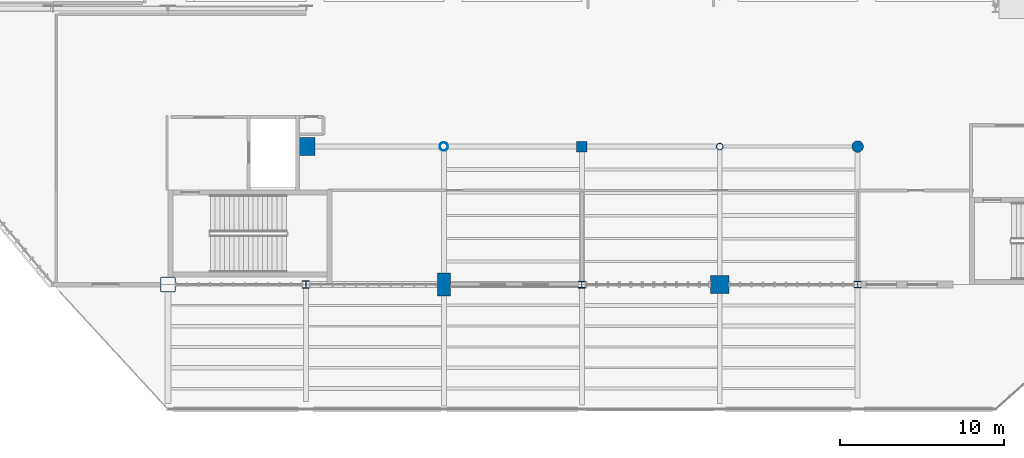
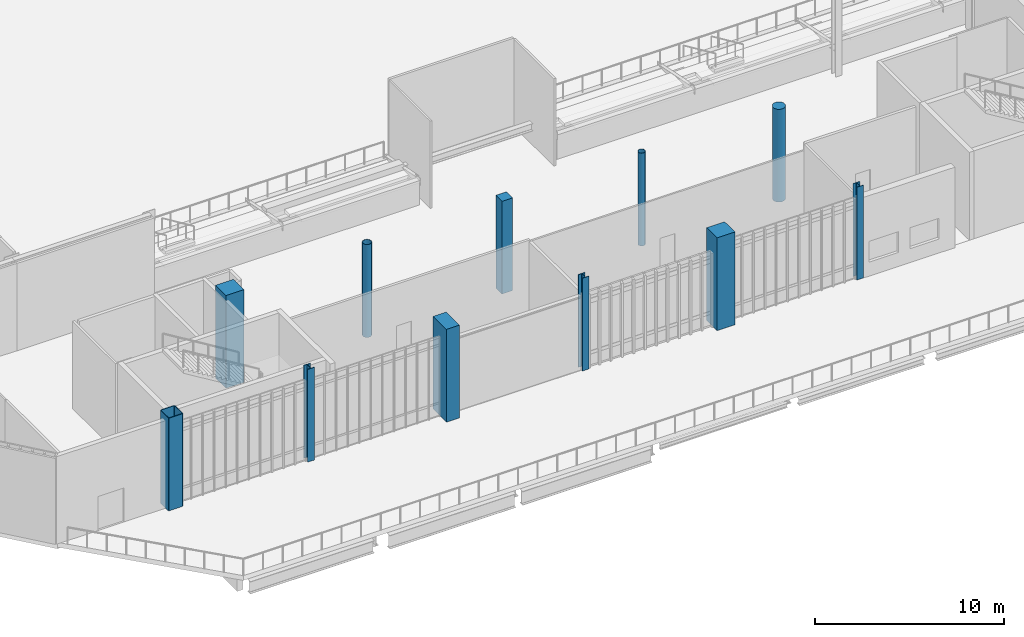
# One storey, part 1 of 135: 11 columns.
"""IFC4 building model written with IfcOpenShell, lengths in metres."""

from ifc_helpers import new_model, si_unit, direction, frame, origin, origin_2d, place, context, subcontext, project, spatial, rectangle, hollow_rectangle, circle, hollow_circle, i_section, extrude, material, material_profile, profile_set, type_object, element, save


model = new_model("IFC4")

# Units and contexts
model_context = context("Model", 3, precision=1e-05, world=origin(), true_north=direction((0.0, 1.0)))
body_context = subcontext(model_context, "Body", "Model", "MODEL_VIEW")
ifc_project = project(units=[si_unit("LENGTHUNIT", "METRE"), si_unit("AREAUNIT", "SQUARE_METRE"), si_unit("VOLUMEUNIT", "CUBIC_METRE"), si_unit("PLANEANGLEUNIT", "RADIAN"), si_unit("MASSUNIT", "GRAM", prefix="KILO")], contexts=[model_context])

# Site, building, storey
site_placement = place(None, origin())
site = spatial("IfcSite", under=ifc_project, at=site_placement, CompositionType="ELEMENT")
building_placement = place(site_placement, origin())
building = spatial("IfcBuilding", under=site, at=building_placement, Name="Larkvane Passage Sports Hall", CompositionType="ELEMENT")
storey_placement = place(building_placement, frame((0.0, 0.0, 10.800048828125)))
storey = spatial("IfcBuildingStorey", under=building, at=storey_placement, Name="L02", CompositionType="ELEMENT", Elevation=10.800048828125)

# Columns
ifc_material_1 = material(Name="Concrete C40/50", Category="concrete")
ifc_material_profile_1 = material_profile(ifc_material_1, circle(Radius=0.35009765625, at=origin_2d()), Name="RC-CIR-700")
ifc_profile_set_1 = profile_set([ifc_material_profile_1], Name="Concrete C40/50")
column_type_1 = type_object("IfcColumnType", Name="COL-CIR-700", PredefinedType="COLUMN", material=ifc_profile_set_1)
column_1_placement = place(storey_placement, frame((76.800048828125, 31.199951171875, 0.0), z_axis=(0.0, 0.0, 1.0), x_axis=(1.0, 0.0, 0.0)))
element("IfcColumn", 1, at=column_1_placement, inside=storey, type_object=column_type_1, Name="Column 11/E L02", PredefinedType="COLUMN", context=body_context, shape_type="SweptSolid", body=[
    extrude(circle(Radius=0.35009765625, at=origin_2d()), origin(), (0.0, 0.0, 1.0), 6.0),
])
ifc_material_2 = material(Name="Concrete C50/60", Category="concrete")
ifc_material_profile_2 = material_profile(ifc_material_2, rectangle(XDim=1.10009765625, YDim=1.10009765625, at=origin_2d()), Name="RC-COL-1100x1100")
ifc_profile_set_2 = profile_set([ifc_material_profile_2], Name="Concrete C50/60")
column_type_2 = type_object("IfcColumnType", Name="COL-RC-1100", PredefinedType="COLUMN", material=ifc_profile_set_2)
for number, where, z_axis, x_axis, name in (
    (2, (43.199951171875, 31.199951171875, 0.0), (0.0, 0.0, 1.0), (1.0, 0.0, 0.0), "Column 7/E L02"),
    (3, (68.39990234375, 22.800048828125, 0.0), (0.0, 0.0, 1.0), (1.0, 0.0, 0.0), "Column 10/D L02"),
):
    element("IfcColumn", number, at=place(storey_placement, frame(where, z_axis=z_axis, x_axis=x_axis)), inside=storey, type_object=column_type_2, Name=name, PredefinedType="COLUMN", context=body_context, shape_type="SweptSolid", body=[
        extrude(rectangle(XDim=1.10009765625, YDim=1.10009765625, at=origin_2d()), origin(), (0.0, 0.0, 1.0), 6.0),
    ])
ifc_material_profile_3 = material_profile(ifc_material_1, rectangle(XDim=0.64990234375, YDim=0.64990234375, at=origin_2d()), Name="RC-COL-650x650")
ifc_profile_set_3 = profile_set([ifc_material_profile_3], Name="Concrete C40/50")
column_type_3 = type_object("IfcColumnType", Name="COL-RC-650", PredefinedType="COLUMN", material=ifc_profile_set_3)
column_2_placement = place(storey_placement, frame((60.0, 31.199951171875, 0.0), z_axis=(0.0, 0.0, 1.0), x_axis=(1.0, 0.0, 0.0)))
element("IfcColumn", 4, at=column_2_placement, inside=storey, type_object=column_type_3, Name="Column 9/E L02", PredefinedType="COLUMN", context=body_context, shape_type="SweptSolid", body=[
    extrude(rectangle(XDim=0.64990234375, YDim=0.64990234375, at=origin_2d()), origin(), (0.0, 0.0, 1.0), 6.0),
])
ifc_material_profile_4 = material_profile(ifc_material_2, rectangle(XDim=0.800048828125, YDim=1.39990234375, at=origin_2d()), Name="RC-COL-800x1400")
ifc_profile_set_4 = profile_set([ifc_material_profile_4], Name="Concrete C50/60")
column_type_4 = type_object("IfcColumnType", Name="COL-RC-800x1400", PredefinedType="COLUMN", material=ifc_profile_set_4)
column_3_placement = place(storey_placement, frame((51.60009765625, 22.800048828125, 0.0), z_axis=(0.0, 0.0, 1.0), x_axis=(1.0, 0.0, 0.0)))
element("IfcColumn", 5, at=column_3_placement, inside=storey, type_object=column_type_4, Name="Column 8/D L02", PredefinedType="COLUMN", context=body_context, shape_type="SweptSolid", body=[
    extrude(rectangle(XDim=0.800048828125, YDim=1.39990234375, at=origin_2d()), origin(), (0.0, 0.0, 1.0), 6.0),
])
ifc_material_3 = material(Name="Steel S460N", Category="steel")
ifc_material_profile_5 = material_profile(ifc_material_3, hollow_rectangle(XDim=0.89990234375, YDim=0.89990234375, WallThickness=0.035888671875, InnerFilletRadius=0.035888671875, OuterFilletRadius=0.072021484375, at=origin_2d()), Name="BOX-900x900x36")
ifc_profile_set_5 = profile_set([ifc_material_profile_5], Name="Steel S460N")
column_type_5 = type_object("IfcColumnType", Name="COL-STL-BOX900", PredefinedType="COLUMN", material=ifc_profile_set_5)
column_4_placement = place(storey_placement, frame((34.800048828125, 22.800048828125, 0.0), z_axis=(0.0, 0.0, 1.0), x_axis=(1.0, 0.0, 0.0)))
element("IfcColumn", 6, at=column_4_placement, inside=storey, type_object=column_type_5, Name="Column 6/D L02", PredefinedType="COLUMN", context=body_context, shape_type="SweptSolid", body=[
    extrude(hollow_rectangle(XDim=0.89990234375, YDim=0.89990234375, WallThickness=0.035888671875, InnerFilletRadius=0.035888671875, OuterFilletRadius=0.072021484375, at=origin_2d()), origin(), (0.0, 0.0, 1.0), 6.0),
])
ifc_material_4 = material(Name="Steel S355JR", Category="steel")
ifc_material_profile_6 = material_profile(ifc_material_4, hollow_circle(Radius=0.203125, WallThickness=0.01611328125, at=origin_2d()), Name="CHS-406.4x16.0")
ifc_profile_set_6 = profile_set([ifc_material_profile_6], Name="Steel S355JR")
column_type_6 = type_object("IfcColumnType", Name="COL-STL-CHS406", PredefinedType="COLUMN", material=ifc_profile_set_6)
column_5_placement = place(storey_placement, frame((68.39990234375, 31.199951171875, 0.0), z_axis=(0.0, 0.0, 1.0), x_axis=(1.0, 0.0, 0.0)))
element("IfcColumn", 7, at=column_5_placement, inside=storey, type_object=column_type_6, Name="Column 10/E L02", PredefinedType="COLUMN", context=body_context, shape_type="SweptSolid", body=[
    extrude(hollow_circle(Radius=0.203125, WallThickness=0.01611328125, at=origin_2d()), origin(), (0.0, 0.0, 1.0), 6.0),
])
ifc_material_profile_7 = material_profile(ifc_material_3, hollow_circle(Radius=0.25390625, WallThickness=0.01904296875, at=origin_2d()), Name="CHS-508.0x19.0")
ifc_profile_set_7 = profile_set([ifc_material_profile_7], Name="Steel S460N")
column_type_7 = type_object("IfcColumnType", Name="COL-STL-CHS508", PredefinedType="COLUMN", material=ifc_profile_set_7)
column_6_placement = place(storey_placement, frame((51.60009765625, 31.199951171875, 0.0), z_axis=(0.0, 0.0, 1.0), x_axis=(1.0, 0.0, 0.0)))
element("IfcColumn", 8, at=column_6_placement, inside=storey, type_object=column_type_7, Name="Column 8/E L02", PredefinedType="COLUMN", context=body_context, shape_type="SweptSolid", body=[
    extrude(hollow_circle(Radius=0.25390625, WallThickness=0.01904296875, at=origin_2d()), origin(), (0.0, 0.0, 1.0), 6.0),
])
ifc_material_profile_8 = material_profile(ifc_material_3, i_section(OverallWidth=0.405029296875, OverallDepth=0.4140625, WebThickness=0.01806640625, FlangeThickness=0.028076171875, FilletRadius=0.02197265625, at=origin_2d()), Name="H-414x405x18x28")
ifc_profile_set_8 = profile_set([ifc_material_profile_8], Name="Steel S460N")
column_type_8 = type_object("IfcColumnType", Name="COL-STL-H414", PredefinedType="COLUMN", material=ifc_profile_set_8)
column_7_placement = place(storey_placement, frame((76.800048828125, 22.800048828125, 0.0), z_axis=(0.0, 0.0, 1.0), x_axis=(1.0, 0.0, 0.0)))
element("IfcColumn", 9, at=column_7_placement, inside=storey, type_object=column_type_8, Name="Column 11/D L02", PredefinedType="COLUMN", context=body_context, shape_type="SweptSolid", body=[
    extrude(i_section(OverallWidth=0.405029296875, OverallDepth=0.4140625, WebThickness=0.01806640625, FlangeThickness=0.028076171875, FilletRadius=0.02197265625, at=origin_2d()), origin(), (0.0, 0.0, 1.0), 6.0),
])
ifc_material_profile_9 = material_profile(ifc_material_3, i_section(OverallWidth=0.406982421875, OverallDepth=0.427978515625, WebThickness=0.02001953125, FlangeThickness=0.034912109375, FilletRadius=0.02197265625, at=origin_2d()), Name="H-428x407x20x35")
ifc_profile_set_9 = profile_set([ifc_material_profile_9], Name="Steel S460N")
column_type_9 = type_object("IfcColumnType", Name="COL-STL-H428", PredefinedType="COLUMN", material=ifc_profile_set_9)
column_8_placement = place(storey_placement, frame((60.0, 22.800048828125, 0.0), z_axis=(0.0, 0.0, 1.0), x_axis=(1.0, 0.0, 0.0)))
element("IfcColumn", 10, at=column_8_placement, inside=storey, type_object=column_type_9, Name="Column 9/D L02", PredefinedType="COLUMN", context=body_context, shape_type="SweptSolid", body=[
    extrude(i_section(OverallWidth=0.406982421875, OverallDepth=0.427978515625, WebThickness=0.02001953125, FlangeThickness=0.034912109375, FilletRadius=0.02197265625, at=origin_2d()), origin(), (0.0, 0.0, 1.0), 6.0),
])
ifc_material_profile_10 = material_profile(ifc_material_3, i_section(OverallWidth=0.4169921875, OverallDepth=0.4580078125, WebThickness=0.030029296875, FlangeThickness=0.0400390625, FilletRadius=0.02197265625, at=origin_2d()), Name="H-458x417x30x40")
ifc_profile_set_10 = profile_set([ifc_material_profile_10], Name="Steel S460N")
column_type_10 = type_object("IfcColumnType", Name="COL-STL-H458", PredefinedType="COLUMN", material=ifc_profile_set_10)
column_9_placement = place(storey_placement, frame((43.199951171875, 22.800048828125, 0.0), z_axis=(0.0, 0.0, 1.0), x_axis=(1.0, 0.0, 0.0)))
element("IfcColumn", 11, at=column_9_placement, inside=storey, type_object=column_type_10, Name="Column 7/D L02", PredefinedType="COLUMN", context=body_context, shape_type="SweptSolid", body=[
    extrude(i_section(OverallWidth=0.4169921875, OverallDepth=0.4580078125, WebThickness=0.030029296875, FlangeThickness=0.0400390625, FilletRadius=0.02197265625, at=origin_2d()), origin(), (0.0, 0.0, 1.0), 6.0),
])

save(model, "model.ifc")
